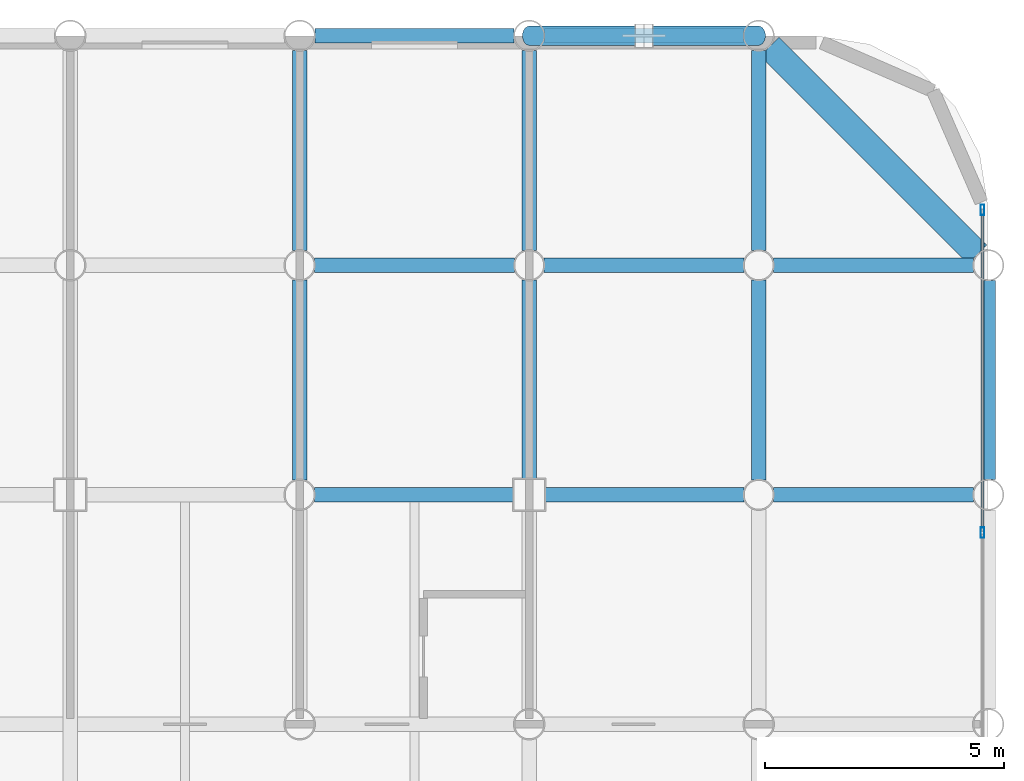
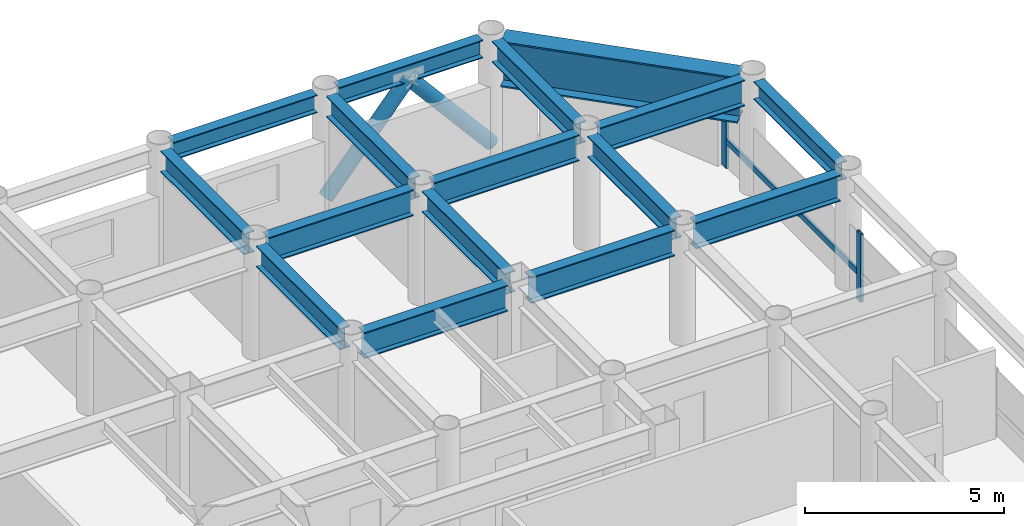
# One storey, part 15 of 22: 16 beams, 5 members, 1 element without a shape of its own.
"""IFC4 building model written with IfcOpenShell, lengths in metres."""

from ifc_helpers import new_model, si_unit, direction, frame, origin, origin_2d, place, context, subcontext, project, spatial, hollow_rectangle, hollow_circle, i_section, extrude, material, layer, layer_set, material_profile, profile_set, type_object, element, aggregate, save


model = new_model("IFC4")

# Units and contexts
model_context = context("Model", 3, precision=1e-05, world=origin(), true_north=direction((0.0, 1.0)))
body_context = subcontext(model_context, "Body", "Model", "MODEL_VIEW")
ifc_project = project(units=[si_unit("LENGTHUNIT", "METRE"), si_unit("AREAUNIT", "SQUARE_METRE"), si_unit("VOLUMEUNIT", "CUBIC_METRE"), si_unit("PLANEANGLEUNIT", "RADIAN"), si_unit("MASSUNIT", "GRAM", prefix="KILO")], contexts=[model_context])

# Site, building, storey
site_placement = place(None, origin())
site = spatial("IfcSite", under=ifc_project, at=site_placement, CompositionType="ELEMENT")
building_placement = place(site_placement, origin())
building = spatial("IfcBuilding", under=site, at=building_placement, Name="Kallvorn Hotel Tower", CompositionType="ELEMENT")
storey_placement = place(building_placement, frame((0.0, 0.0, 113.699951171875)))
storey = spatial("IfcBuildingStorey", under=building, at=storey_placement, Name="L27", CompositionType="ELEMENT", Elevation=113.699951171875)

# Beams
ifc_material_1 = material(Name="Structural steel S355JR", Category="steel")
ifc_material_profile_1 = material_profile(ifc_material_1, i_section(OverallWidth=0.300048828125, OverallDepth=0.550048828125, WebThickness=0.014892578125, FlangeThickness=0.029052734375, at=origin_2d()), Name="HE 550 B")
ifc_profile_set_1 = profile_set([ifc_material_profile_1], Name="Structural steel S355JR")
beam_type_1 = type_object("IfcBeamType", Name="BM_HE550B", PredefinedType="SPANDREL", material=ifc_profile_set_1)
for number, where, z_axis, x_axis, name in (
    (1, (19.52001953125, 24.0, 3.2451171875), (1.0, 0.0, 0.0), (0.0, 1.0, 0.0), "L28 Perimeter Spandrel 172"),
    (2, (24.320068359375, 24.0, 3.2451171875), (1.0, 0.0, 0.0), (0.0, 1.0, 0.0), "L28 Perimeter Spandrel 173"),
    (3, (33.60009765625, 14.719970703125, 3.2451171875), (0.0, 1.0, 0.0), (-1.0, 0.0, 0.0), "L28 Perimeter Spandrel 188"),
):
    element("IfcBeam", number, at=place(storey_placement, frame(where, z_axis=z_axis, x_axis=x_axis)), inside=storey, type_object=beam_type_1, Name=name, PredefinedType="SPANDREL", context=body_context, shape_type="SweptSolid", body=[
        extrude(i_section(OverallWidth=0.300048828125, OverallDepth=0.550048828125, WebThickness=0.014892578125, FlangeThickness=0.029052734375, at=origin_2d()), origin(), (0.0, 0.0, 1.0), 4.159912109375),
    ])
ifc_material_2 = material(Name="Structural steel S355JR", Category="steel")
ifc_material_profile_2 = material_profile(ifc_material_2, i_section(OverallWidth=0.300048828125, OverallDepth=0.64990234375, WebThickness=0.01611328125, FlangeThickness=0.031005859375, at=origin_2d()), Name="HE 650 B")
ifc_profile_set_2 = profile_set([ifc_material_profile_2], Name="Structural steel S355JR")
beam_type_2 = type_object("IfcBeamType", Name="BM_HE650B", PredefinedType="BEAM", material=ifc_profile_set_2)
beam_1_placement = place(storey_placement, frame((19.199951171875, 14.705078125, 3.195068359375), z_axis=(0.0, 1.0, 0.0), x_axis=(-1.0, 0.0, 0.0)))
element("IfcBeam", 4, at=beam_1_placement, inside=storey, type_object=beam_type_2, Name="L28 Primary Y-Girder 133", PredefinedType="BEAM", context=body_context, shape_type="SweptSolid", body=[
    extrude(i_section(OverallWidth=0.300048828125, OverallDepth=0.64990234375, WebThickness=0.01611328125, FlangeThickness=0.031005859375, at=origin_2d()), origin(), (0.0, 0.0, 1.0), 4.18994140625),
])
beam_2_placement = place(storey_placement, frame((19.199951171875, 19.5048828125, 3.195068359375), z_axis=(0.0, 1.0, 0.0), x_axis=(-1.0, 0.0, 0.0)))
element("IfcBeam", 5, at=beam_2_placement, inside=storey, type_object=beam_type_2, Name="L28 Primary Y-Girder 134", PredefinedType="BEAM", context=body_context, shape_type="SweptSolid", body=[
    extrude(i_section(OverallWidth=0.300048828125, OverallDepth=0.64990234375, WebThickness=0.01611328125, FlangeThickness=0.031005859375, at=origin_2d()), origin(), (0.0, 0.0, 1.0), 4.190185546875),
])
beam_3_placement = place(storey_placement, frame((24.0, 14.72509765625, 3.195068359375), z_axis=(0.0, 1.0, 0.0), x_axis=(-1.0, 0.0, 0.0)))
element("IfcBeam", 6, at=beam_3_placement, inside=storey, type_object=beam_type_2, Name="L28 Primary Y-Girder 140", PredefinedType="BEAM", context=body_context, shape_type="SweptSolid", body=[
    extrude(i_section(OverallWidth=0.300048828125, OverallDepth=0.64990234375, WebThickness=0.01611328125, FlangeThickness=0.031005859375, at=origin_2d()), origin(), (0.0, 0.0, 1.0), 4.169921875),
])
beam_4_placement = place(storey_placement, frame((24.0, 19.5048828125, 3.195068359375), z_axis=(0.0, 1.0, 0.0), x_axis=(-1.0, 0.0, 0.0)))
element("IfcBeam", 7, at=beam_4_placement, inside=storey, type_object=beam_type_2, Name="L28 Primary Y-Girder 141", PredefinedType="BEAM", context=body_context, shape_type="SweptSolid", body=[
    extrude(i_section(OverallWidth=0.300048828125, OverallDepth=0.64990234375, WebThickness=0.01611328125, FlangeThickness=0.031005859375, at=origin_2d()), origin(), (0.0, 0.0, 1.0), 4.190185546875),
])
beam_5_placement = place(storey_placement, frame((28.800048828125, 14.705078125, 3.195068359375), z_axis=(0.0, 1.0, 0.0), x_axis=(-1.0, 0.0, 0.0)))
element("IfcBeam", 8, at=beam_5_placement, inside=storey, type_object=beam_type_2, Name="L28 Primary Y-Girder 149", PredefinedType="BEAM", context=body_context, shape_type="SweptSolid", body=[
    extrude(i_section(OverallWidth=0.300048828125, OverallDepth=0.64990234375, WebThickness=0.01611328125, FlangeThickness=0.031005859375, at=origin_2d()), origin(), (0.0, 0.0, 1.0), 4.18994140625),
])
beam_6_placement = place(storey_placement, frame((28.800048828125, 19.5048828125, 3.195068359375), z_axis=(0.0, 1.0, 0.0), x_axis=(-1.0, 0.0, 0.0)))
element("IfcBeam", 9, at=beam_6_placement, inside=storey, type_object=beam_type_2, Name="L28 Primary Y-Girder 150", PredefinedType="BEAM", context=body_context, shape_type="SweptSolid", body=[
    extrude(i_section(OverallWidth=0.300048828125, OverallDepth=0.64990234375, WebThickness=0.01611328125, FlangeThickness=0.031005859375, at=origin_2d()), origin(), (0.0, 0.0, 1.0), 4.190185546875),
])
ifc_material_3 = material(Name="Structural steel S355JR", Category="steel")
ifc_material_profile_3 = material_profile(ifc_material_3, i_section(OverallWidth=0.300048828125, OverallDepth=0.800048828125, WebThickness=0.017578125, FlangeThickness=0.032958984375, at=origin_2d()), Name="HE 800 B")
ifc_profile_set_3 = profile_set([ifc_material_profile_3], Name="Structural steel S355JR")
beam_type_3 = type_object("IfcBeamType", Name="BM_HE800B", PredefinedType="BEAM", material=ifc_profile_set_3)
for number, where, z_axis, x_axis, name in (
    (10, (19.5048828125, 14.39990234375, 3.1201171875), (1.0, 0.0, 0.0), (0.0, 1.0, 0.0), "L28 Primary X-Girder 57"),
    (11, (24.324951171875, 14.39990234375, 3.1201171875), (1.0, 0.0, 0.0), (0.0, 1.0, 0.0), "L28 Primary X-Girder 58"),
):
    element("IfcBeam", number, at=place(storey_placement, frame(where, z_axis=z_axis, x_axis=x_axis)), inside=storey, type_object=beam_type_3, Name=name, PredefinedType="BEAM", context=body_context, shape_type="SweptSolid", body=[
        extrude(i_section(OverallWidth=0.300048828125, OverallDepth=0.800048828125, WebThickness=0.017578125, FlangeThickness=0.032958984375, at=origin_2d()), origin(), (0.0, 0.0, 1.0), 4.170166015625),
    ])
beam_7_placement = place(storey_placement, frame((29.10498046875, 14.39990234375, 3.1201171875), z_axis=(1.0, 0.0, 0.0), x_axis=(0.0, 1.0, 0.0)))
element("IfcBeam", 12, at=beam_7_placement, inside=storey, type_object=beam_type_3, Name="L28 Primary X-Girder 59", PredefinedType="BEAM", context=body_context, shape_type="SweptSolid", body=[
    extrude(i_section(OverallWidth=0.300048828125, OverallDepth=0.800048828125, WebThickness=0.017578125, FlangeThickness=0.032958984375, at=origin_2d()), origin(), (0.0, 0.0, 1.0), 4.18994140625),
])
for number, where, z_axis, x_axis, name in (
    (13, (19.5048828125, 19.199951171875, 3.1201171875), (1.0, 0.0, 0.0), (0.0, 1.0, 0.0), "L28 Primary X-Girder 70"),
    (14, (24.304931640625, 19.199951171875, 3.1201171875), (1.0, 0.0, 0.0), (0.0, 1.0, 0.0), "L28 Primary X-Girder 71"),
):
    element("IfcBeam", number, at=place(storey_placement, frame(where, z_axis=z_axis, x_axis=x_axis)), inside=storey, type_object=beam_type_3, Name=name, PredefinedType="BEAM", context=body_context, shape_type="SweptSolid", body=[
        extrude(i_section(OverallWidth=0.300048828125, OverallDepth=0.800048828125, WebThickness=0.017578125, FlangeThickness=0.032958984375, at=origin_2d()), origin(), (0.0, 0.0, 1.0), 4.190185546875),
    ])
beam_8_placement = place(storey_placement, frame((29.10498046875, 19.199951171875, 3.1201171875), z_axis=(1.0, 0.0, 0.0), x_axis=(0.0, 1.0, 0.0)))
element("IfcBeam", 15, at=beam_8_placement, inside=storey, type_object=beam_type_3, Name="L28 Primary X-Girder 72", PredefinedType="BEAM", context=body_context, shape_type="SweptSolid", body=[
    extrude(i_section(OverallWidth=0.300048828125, OverallDepth=0.800048828125, WebThickness=0.017578125, FlangeThickness=0.032958984375, at=origin_2d()), origin(), (0.0, 0.0, 1.0), 4.18994140625),
])
ifc_material_4 = material(Name="Structural steel S355JR", Category="steel")
ifc_material_profile_4 = material_profile(ifc_material_4, i_section(OverallWidth=0.550048828125, OverallDepth=1.39990234375, WebThickness=0.02490234375, FlangeThickness=0.044921875, at=origin_2d()), Name="PG 1400x550x25x45")
ifc_profile_set_4 = profile_set([ifc_material_profile_4], Name="Structural steel S355JR")
beam_type_4 = type_object("IfcBeamType", Name="BM_PG_1400", PredefinedType="BEAM", material=ifc_profile_set_4)
beam_9_placement = place(storey_placement, frame((33.373779296875, 19.42626953125, 2.820068359375), z_axis=(-0.707106781187, 0.707106781187, 0.0), x_axis=(-0.707106781187, -0.707106781187, 0.0)))
element("IfcBeam", 16, at=beam_9_placement, inside=storey, type_object=beam_type_4, Name="L28 Rounded Corner Tie Beam 191", PredefinedType="BEAM", context=body_context, shape_type="SweptSolid", body=[
    extrude(i_section(OverallWidth=0.550048828125, OverallDepth=1.39990234375, WebThickness=0.02490234375, FlangeThickness=0.044921875, at=origin_2d()), origin(), (0.0, 0.0, 1.0), 6.148193359375),
])

# Curtain wall, members
ifc_material_5 = material(Name="Thermally broken black-anodised aluminium AA 6063-T6", Category="aluminium")
ifc_layer = layer(ifc_material_5, 0.199951171875)
ifc_layer_set = layer_set([ifc_layer], Name="CW_SYS_3_HOTEL_LOW")
curtain_wall_type = type_object("IfcCurtainWallType", Name="CW_SYS_3_HOTEL_LOW", PredefinedType="USERDEFINED", material=ifc_layer_set)
curtain_wall_placement = place(storey_placement, origin())
curtain_wall = element("IfcCurtainWall", 17, at=curtain_wall_placement, inside=storey, type_object=curtain_wall_type, Name="L27 Dark-Glass Curtain Wall CW-L27-EN", ObjectType="UNITISED CURTAIN WALL", PredefinedType="USERDEFINED")
ifc_material_6 = material(Name="Thermally broken black-anodised aluminium AA 6063-T6", Category="aluminium")
ifc_material_profile_5 = material_profile(ifc_material_6, hollow_rectangle(XDim=0.080078125, YDim=0.219970703125, WallThickness=0.0048828125, at=origin_2d()), Name="MUL 220x80")
ifc_profile_set_5 = profile_set([ifc_material_profile_5], Name="Thermally broken black-anodised aluminium AA 6063-T6")
member_type_1 = type_object("IfcMemberType", Name="CW_MULLION_220x80", PredefinedType="MULLION", material=ifc_profile_set_5)
member_1_placement = place(storey_placement, frame((33.47998046875, 13.606689453125, 0.02001953125), z_axis=(0.0, 0.0, 1.0), x_axis=(1.0, 0.0, 0.0)))
member_1 = element("IfcMember", 18, at=member_1_placement, type_object=member_type_1, Name="CW-L27-EN Mullion 02", PredefinedType="MULLION", context=body_context, shape_type="SweptSolid", body=[
    extrude(hollow_rectangle(XDim=0.080078125, YDim=0.219970703125, WallThickness=0.0048828125, at=origin_2d()), origin(), (0.0, 0.0, 1.0), 2.080078125),
])
member_2_placement = place(storey_placement, frame((33.47998046875, 20.360107421875, 0.02001953125), z_axis=(0.0, 0.0, 1.0), x_axis=(1.0, 0.0, 0.0)))
member_2 = element("IfcMember", 19, at=member_2_placement, type_object=member_type_1, Name="CW-L27-EN Mullion 03", PredefinedType="MULLION", context=body_context, shape_type="SweptSolid", body=[
    extrude(hollow_rectangle(XDim=0.080078125, YDim=0.219970703125, WallThickness=0.0048828125, at=origin_2d()), origin(), (0.0, 0.0, 1.0), 2.080078125),
])
ifc_material_7 = material(Name="Thermally broken black-anodised aluminium AA 6063-T6", Category="aluminium")
ifc_material_profile_6 = material_profile(ifc_material_7, hollow_rectangle(XDim=0.070068359375, YDim=0.179931640625, WallThickness=0.00390625, at=origin_2d()), Name="TRN 180x70")
ifc_profile_set_6 = profile_set([ifc_material_profile_6], Name="Thermally broken black-anodised aluminium AA 6063-T6")
member_type_2 = type_object("IfcMemberType", Name="CW_TRANSOM_180x70", PredefinedType="USERDEFINED", material=ifc_profile_set_6)
member_3_placement = place(storey_placement, frame((33.47998046875, 13.646728515625, 0.85009765625), z_axis=(0.0, 1.0, 0.0), x_axis=(-1.0, 0.0, 0.0)))
member_3 = element("IfcMember", 20, at=member_3_placement, type_object=member_type_2, Name="CW-L27-EN Transom 02M", ObjectType="TRANSOM", PredefinedType="USERDEFINED", context=body_context, shape_type="SweptSolid", body=[
    extrude(hollow_rectangle(XDim=0.070068359375, YDim=0.179931640625, WallThickness=0.00390625, at=origin_2d()), origin(), (0.0, 0.0, 1.0), 6.71337890625),
])
aggregate(curtain_wall, [member_1, member_2, member_3])

# Members
ifc_material_8 = material(Name="Structural steel S355J2H", Category="steel")
ifc_material_profile_7 = material_profile(ifc_material_8, hollow_circle(Radius=0.203125, WallThickness=0.01611328125, at=origin_2d()), Name="CHS 406.4x16")
ifc_profile_set_7 = profile_set([ifc_material_profile_7], Name="Structural steel S355J2H")
member_type_3 = type_object("IfcMemberType", Name="MBR_EXO_CHS406", PredefinedType="BRACE", material=ifc_profile_set_7)
for number, where, z_axis, x_axis, name in (
    (21, (24.012939453125, 24.0, 0.1953125), (0.646833296797, 0.0, 0.762631422218), (0.0, 1.0, 0.0), "L27 Exoskeleton K-Brace N2A"),
    (22, (28.787109375, 24.0, 0.1953125), (-0.646833296797, 0.0, 0.762631422218), (0.0, -1.0, 0.0), "L27 Exoskeleton K-Brace N2B"),
):
    element("IfcMember", number, at=place(storey_placement, frame(where, z_axis=z_axis, x_axis=x_axis)), inside=storey, type_object=member_type_3, Name=name, PredefinedType="BRACE", context=body_context, shape_type="SweptSolid", body=[
        extrude(hollow_circle(Radius=0.203125, WallThickness=0.01611328125, at=origin_2d()), origin(), (0.0, 0.0, 1.0), 3.670654296875),
    ])

save(model, "model.ifc")
